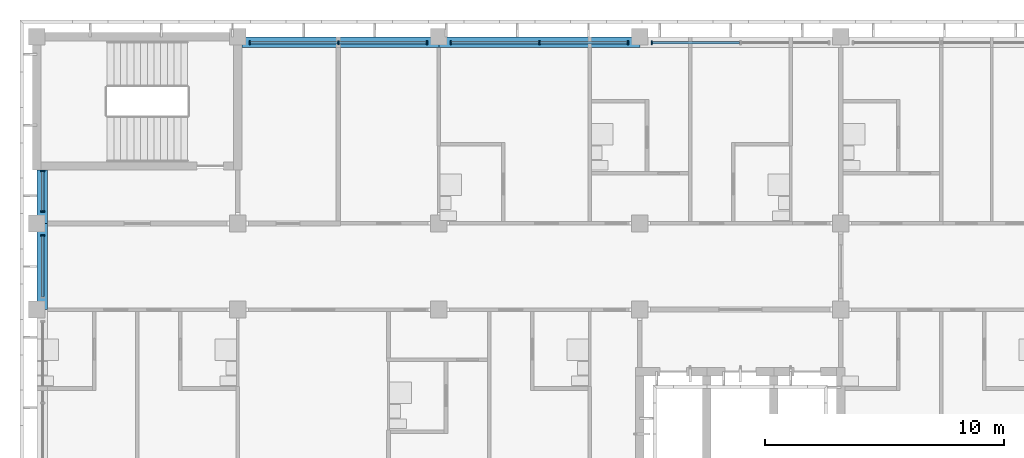
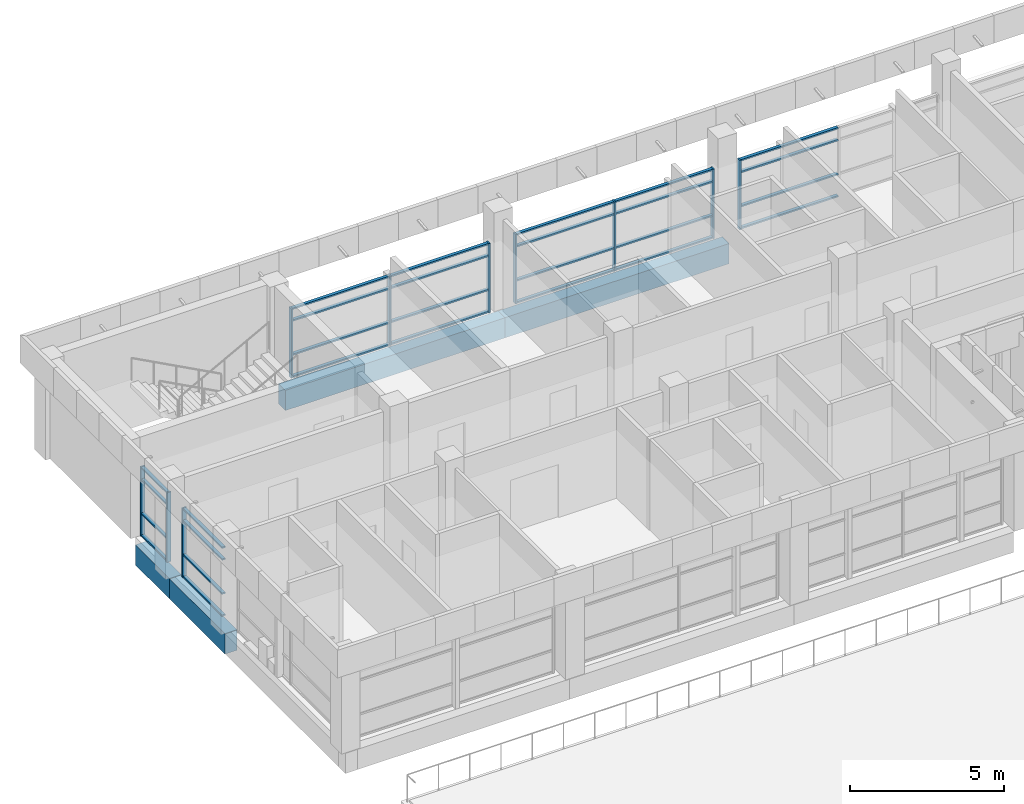
# One storey, part 5 of 46: 38 members, 4 beams, 5 elements without a shape of their own.
"""IFC4 building model written with IfcOpenShell, lengths in metres."""

import ifcopenshell
import ifcopenshell.guid

model = None  # the IFC model being written
_history = None  # IfcOwnerHistory: only IFC2X3 demands one
_inside = {}  # id of a spatial element -> (the spatial element, [elements in it])
_under = {}  # id of a project, library or spatial element -> (it, [spatial elements below it])
_declared = {}  # id of a project -> (the project, [libraries it declares])
_typed = {}  # id of a type object -> (the type object, [elements of that type])
_made_of = {}  # id of a material, layer set ... -> (it, [elements and type objects made of it])


def new_model(schema):
    """Start an empty IFC model of exactly this schema.

    Asked for "IFC4X3", IfcOpenShell would pick the latest addendum, in which some entities
    have other attributes; the version numbers below select the first issue.
    IFC2X3 requires an IfcOwnerHistory on every rooted entity: one is made here for all.
    """
    global model, _history
    if schema == "IFC4X3":
        model = ifcopenshell.file(schema_version=(4, 3, 0, 0))
    else:
        model = ifcopenshell.file(schema=schema)
    _inside.clear()
    _under.clear()
    _declared.clear()
    _typed.clear()
    _made_of.clear()
    _history = None
    if model.schema == "IFC2X3":
        org = make("IfcOrganization", Name="unknown")
        user = make(
            "IfcPersonAndOrganization",
            ThePerson=make("IfcPerson", FamilyName="unknown"),
            TheOrganization=org,
        )
        app = make(
            "IfcApplication",
            ApplicationDeveloper=org,
            Version="unknown",
            ApplicationFullName="unknown",
            ApplicationIdentifier="unknown",
        )
        _history = make(
            "IfcOwnerHistory",
            OwningUser=user,
            OwningApplication=app,
            ChangeAction="ADDED",
            CreationDate=0,
        )
    return model


def make(cls, **values):
    """One entity of the class cls with the attributes given. An attribute that is None is left unset."""
    return model.create_entity(
        cls, **{name: value for name, value in values.items() if value is not None}
    )


def rooted(cls, **values):
    """An entity with a GlobalId (a new one), such as an element, a storey or a relation."""
    return make(cls, GlobalId=ifcopenshell.guid.new(), OwnerHistory=_history, **values)


def si_unit(unit_type, name, prefix=None):
    """IfcSIUnit, for example si_unit("LENGTHUNIT", "METRE", prefix="MILLI")."""
    return make("IfcSIUnit", UnitType=unit_type, Prefix=prefix, Name=name)


def assignment(units):
    """IfcUnitAssignment: the units of a project."""
    return None if units is None else make("IfcUnitAssignment", Units=units)


def point(xyz):
    """IfcCartesianPoint."""
    return None if xyz is None else make("IfcCartesianPoint", Coordinates=xyz)


def direction(xyz):
    """IfcDirection."""
    return None if xyz is None else make("IfcDirection", DirectionRatios=xyz)


def frame(location, z_axis=None, x_axis=None):
    """IfcAxis2Placement3D, a coordinate frame: its origin and axes. An axis left out is left unset."""
    return make(
        "IfcAxis2Placement3D",
        Location=point(location),
        Axis=direction(z_axis),
        RefDirection=direction(x_axis),
    )


def frame_2d(location, x_axis=None):
    """IfcAxis2Placement2D, a coordinate frame in the plane: its origin and x axis."""
    return make(
        "IfcAxis2Placement2D", Location=point(location), RefDirection=direction(x_axis)
    )


def origin():
    """The frame at (0, 0, 0) with its axes left unset."""
    return frame((0.0, 0.0, 0.0))


def origin_2d():
    """The frame at (0, 0) in the plane with its x axis left unset."""
    return frame_2d((0.0, 0.0))


def place(relative_to, where):
    """IfcLocalPlacement: puts the frame where relative to a parent placement (None: the world)."""
    return make(
        "IfcLocalPlacement", PlacementRelTo=relative_to, RelativePlacement=where
    )


def context(
    kind, dimensions, precision=None, world=None, true_north=None, identifier=None
):
    """IfcGeometricRepresentationContext, for example the 3D "Model" context."""
    return make(
        "IfcGeometricRepresentationContext",
        ContextIdentifier=identifier,
        ContextType=kind,
        CoordinateSpaceDimension=dimensions,
        Precision=precision,
        WorldCoordinateSystem=world,
        TrueNorth=true_north,
    )


def subcontext(parent, identifier, kind, view, scale=None):
    """IfcGeometricRepresentationSubContext, for example "Body" below "Model"."""
    return make(
        "IfcGeometricRepresentationSubContext",
        ContextIdentifier=identifier,
        ContextType=kind,
        ParentContext=parent,
        TargetScale=scale,
        TargetView=view,
    )


def project(units=None, contexts=None):
    """IfcProject with its units and contexts."""
    return rooted(
        "IfcProject",
        Name="project",
        RepresentationContexts=contexts,
        UnitsInContext=assignment(units),
    )


def spatial(cls, under=None, at=None, **own):
    """A site, building, storey or space (cls), placed at a placement, below another one or the project."""
    s = rooted(cls, ObjectPlacement=at, **own)
    if under is not None:
        _under.setdefault(under.id(), (under, []))[1].append(s)
    return s


def profile(cls, at=None, kind="AREA", **sizes):
    """A parametric profile (cls). Its sizes go by their IFC names, for example OverallWidth=200.0."""
    return make(cls, ProfileType=kind, Position=at, **sizes)


def rectangle(**sizes):
    """IfcRectangleProfileDef."""
    return profile("IfcRectangleProfileDef", **sizes)


def extrude(swept, where, along, depth):
    """IfcExtrudedAreaSolid: the profile swept, set in the frame where, extruded along a direction by depth."""
    return make(
        "IfcExtrudedAreaSolid",
        SweptArea=swept,
        Position=where,
        ExtrudedDirection=direction(along),
        Depth=depth,
    )


def shape(context_of_items, identifier, shape_type, items):
    """IfcShapeRepresentation: the items that make up one representation, for example the "Body"."""
    return make(
        "IfcShapeRepresentation",
        ContextOfItems=context_of_items,
        RepresentationIdentifier=identifier,
        RepresentationType=shape_type,
        Items=items,
    )


def material(Name=None, Category=None):
    """IfcMaterial."""
    return make("IfcMaterial", Name=Name, Category=Category)


def material_profile(
    of_material, cross_section, Name=None, Category=None, Priority=None
):
    """IfcMaterialProfile: a cross section and its material."""
    return make(
        "IfcMaterialProfile",
        Name=Name,
        Material=of_material,
        Profile=cross_section,
        Priority=Priority,
        Category=Category,
    )


def profile_set(profiles, Name=None, composite=None):
    """IfcMaterialProfileSet."""
    return make(
        "IfcMaterialProfileSet",
        Name=Name,
        MaterialProfiles=profiles,
        CompositeProfile=composite,
    )


def made_of(thing, what):
    """Note that an element or type object is made of a material, layer set ...; save() writes the relation."""
    if what is not None:
        _made_of.setdefault(what.id(), (what, []))[1].append(thing)
    return thing


def type_object(cls, material=None, **own):
    """A type object (cls), such as IfcWallType, which elements share."""
    return made_of(rooted(cls, **own), material)


def element(
    cls,
    number,
    at=None,
    inside=None,
    cuts=None,
    type_object=None,
    material=None,
    context=None,
    identifier="Body",
    shape_type=None,
    held_by="IfcProductDefinitionShape",
    body=None,
    shapes=None,
    **own,
):
    """One element of the class cls, such as IfcWall. Its Tag is "e" and its number.

    at: its placement. inside: the storey or other place that contains it. cuts: it is an
    opening in that element (IfcRelVoidsElement). A single representation is given by context,
    identifier, shape_type and body (its items); several are given by shapes. held_by: the class
    of the entity that holds the representations. save() writes the other relations.
    """
    e = rooted(cls, Tag="e%d" % number, ObjectPlacement=at, **own)
    if body is not None:
        shapes = [shape(context, identifier, shape_type, body)]
    if shapes is not None:
        e.Representation = make(held_by, Representations=shapes)
    if inside is not None:
        _inside.setdefault(inside.id(), (inside, []))[1].append(e)
    if cuts is not None:
        rooted(
            "IfcRelVoidsElement", RelatingBuildingElement=cuts, RelatedOpeningElement=e
        )
    if type_object is not None:
        _typed.setdefault(type_object.id(), (type_object, []))[1].append(e)
    return made_of(e, material)


def aggregate(whole, parts):
    """IfcRelAggregates: a whole, such as a stair, and the parts it consists of."""
    return rooted("IfcRelAggregates", RelatingObject=whole, RelatedObjects=parts)


def save(model, path):
    """Write the relations noted so far, then the file.

    IfcRelAggregates (storeys below a building ...), IfcRelContainedInSpatialStructure (elements
    in a storey), IfcRelDefinesByType, IfcRelAssociatesMaterial and IfcRelDeclares: one each for
    every whole, place, type object, material and project.
    """
    for whole, parts in _under.values():
        aggregate(whole, parts)
    for where, things in _inside.values():
        rooted(
            "IfcRelContainedInSpatialStructure",
            RelatedElements=things,
            RelatingStructure=where,
        )
    for kind, things in _typed.values():
        rooted("IfcRelDefinesByType", RelatedObjects=things, RelatingType=kind)
    for what, things in _made_of.values():
        rooted("IfcRelAssociatesMaterial", RelatedObjects=things, RelatingMaterial=what)
    for by, libraries in _declared.values():
        rooted("IfcRelDeclares", RelatingContext=by, RelatedDefinitions=libraries)
    model.write(path)


model = new_model("IFC4")

# Units and contexts
model_context = context("Model", 3, precision=1e-05, world=origin(), true_north=direction((0.0, 1.0)))
body_context = subcontext(model_context, "Body", "Model", "MODEL_VIEW")
ifc_project = project(units=[si_unit("LENGTHUNIT", "METRE"), si_unit("AREAUNIT", "SQUARE_METRE"), si_unit("VOLUMEUNIT", "CUBIC_METRE"), si_unit("PLANEANGLEUNIT", "RADIAN"), si_unit("MASSUNIT", "GRAM", prefix="KILO")], contexts=[model_context])

# Site, building, storey
site_placement = place(None, origin())
site = spatial("IfcSite", under=ifc_project, at=site_placement, CompositionType="ELEMENT")
building_placement = place(site_placement, origin())
building = spatial("IfcBuilding", under=site, at=building_placement, Name="Bougainvillea Quay General Hospital", CompositionType="ELEMENT")
storey_placement = place(building_placement, frame((0.0, 0.0, 28.800048828125)))
storey = spatial("IfcBuildingStorey", under=building, at=storey_placement, Name="L06", CompositionType="ELEMENT", Elevation=28.800048828125)

# Curtain wall, member
ifc_material_1 = material(Name="Aluminium curtain wall system, powder-coated glazed", Category="aluminium")
curtain_wall_type_1 = type_object("IfcCurtainWallType", Name="Unitised curtain wall CW-3730", PredefinedType="NOTDEFINED", material=ifc_material_1)
curtain_wall_1_placement = place(storey_placement, origin())
curtain_wall_1 = element("IfcCurtainWall", 1, at=curtain_wall_1_placement, inside=storey, type_object=curtain_wall_type_1, Name="CW-4200 09", PredefinedType="NOTDEFINED")
ifc_material_2 = material(Name="Aluminium mullion, powder-coated charcoal", Category="aluminium")
ifc_material_profile_1 = material_profile(ifc_material_2, rectangle(XDim=0.159912109375, YDim=0.06005859375, at=origin_2d()))
ifc_profile_set_1 = profile_set([ifc_material_profile_1], Name="Aluminium mullion, powder-coated charcoal")
member_type_1 = type_object("IfcMemberType", Name="Curtain wall mullion 160x60", PredefinedType="MULLION", material=ifc_profile_set_1)
member_1_placement = place(storey_placement, frame((67.699951171875, 159.35009765625, 0.0), z_axis=(0.0, 0.0, 1.0), x_axis=(0.0, -1.0, 0.0)))
member_1 = element("IfcMember", 2, at=member_1_placement, type_object=member_type_1, Name="CW-4200 mullion 3", PredefinedType="MULLION", context=body_context, shape_type="SweptSolid", body=[
    extrude(rectangle(XDim=0.159912109375, YDim=0.06005859375, at=origin_2d()), origin(), (0.0, 0.0, 1.0), 2.75),
])

# Curtain wall, members
curtain_wall_2_placement = place(storey_placement, origin())
curtain_wall_2 = element("IfcCurtainWall", 3, at=curtain_wall_2_placement, inside=storey, type_object=curtain_wall_type_1, Name="CW-4200 10", PredefinedType="NOTDEFINED")
member_2_placement = place(storey_placement, frame((66.699951171875, 159.35009765625, 0.0), z_axis=(0.0, 0.0, 1.0), x_axis=(0.0, -1.0, 0.0)))
member_2 = element("IfcMember", 4, at=member_2_placement, type_object=member_type_1, Name="CW-4200 mullion 1", PredefinedType="MULLION", context=body_context, shape_type="SweptSolid", body=[
    extrude(rectangle(XDim=0.159912109375, YDim=0.06005859375, at=origin_2d()), origin(), (0.0, 0.0, 1.0), 2.75),
])
member_3_placement = place(storey_placement, frame((63.0, 159.35009765625, 0.0), z_axis=(0.0, 0.0, 1.0), x_axis=(0.0, -1.0, 0.0)))
member_3 = element("IfcMember", 5, at=member_3_placement, type_object=member_type_1, Name="CW-4200 mullion 2", PredefinedType="MULLION", context=body_context, shape_type="SweptSolid", body=[
    extrude(rectangle(XDim=0.159912109375, YDim=0.06005859375, at=origin_2d()), origin(), (0.0, 0.0, 1.0), 2.75),
])
member_4_placement = place(storey_placement, frame((59.300048828125, 159.35009765625, 0.0), z_axis=(0.0, 0.0, 1.0), x_axis=(0.0, -1.0, 0.0)))
member_4 = element("IfcMember", 6, at=member_4_placement, type_object=member_type_1, Name="CW-4200 mullion 3", PredefinedType="MULLION", context=body_context, shape_type="SweptSolid", body=[
    extrude(rectangle(XDim=0.159912109375, YDim=0.06005859375, at=origin_2d()), origin(), (0.0, 0.0, 1.0), 2.75),
])

curtain_wall_3_placement = place(storey_placement, origin())
curtain_wall_3 = element("IfcCurtainWall", 7, at=curtain_wall_3_placement, inside=storey, type_object=curtain_wall_type_1, Name="CW-4200 11", PredefinedType="NOTDEFINED")
member_5_placement = place(storey_placement, frame((58.300048828125, 159.35009765625, 0.0), z_axis=(0.0, 0.0, 1.0), x_axis=(0.0, -1.0, 0.0)))
member_5 = element("IfcMember", 8, at=member_5_placement, type_object=member_type_1, Name="CW-4200 mullion 1", PredefinedType="MULLION", context=body_context, shape_type="SweptSolid", body=[
    extrude(rectangle(XDim=0.159912109375, YDim=0.06005859375, at=origin_2d()), origin(), (0.0, 0.0, 1.0), 2.75),
])
member_6_placement = place(storey_placement, frame((54.60009765625, 159.35009765625, 0.0), z_axis=(0.0, 0.0, 1.0), x_axis=(0.0, -1.0, 0.0)))
member_6 = element("IfcMember", 9, at=member_6_placement, type_object=member_type_1, Name="CW-4200 mullion 2", PredefinedType="MULLION", context=body_context, shape_type="SweptSolid", body=[
    extrude(rectangle(XDim=0.159912109375, YDim=0.06005859375, at=origin_2d()), origin(), (0.0, 0.0, 1.0), 2.75),
])
member_7_placement = place(storey_placement, frame((50.89990234375, 159.35009765625, 0.0), z_axis=(0.0, 0.0, 1.0), x_axis=(0.0, -1.0, 0.0)))
member_7 = element("IfcMember", 10, at=member_7_placement, type_object=member_type_1, Name="CW-4200 mullion 3", PredefinedType="MULLION", context=body_context, shape_type="SweptSolid", body=[
    extrude(rectangle(XDim=0.159912109375, YDim=0.06005859375, at=origin_2d()), origin(), (0.0, 0.0, 1.0), 2.75),
])

curtain_wall_type_2 = type_object("IfcCurtainWallType", Name="Unitised curtain wall CW-1755", PredefinedType="NOTDEFINED", material=ifc_material_1)
curtain_wall_4_placement = place(storey_placement, origin())
curtain_wall_4 = element("IfcCurtainWall", 11, at=curtain_wall_4_placement, inside=storey, type_object=curtain_wall_type_2, Name="CW-4200 00", PredefinedType="NOTDEFINED")
member_8_placement = place(storey_placement, frame((42.25, 153.9951171875, 0.0), z_axis=(0.0, 0.0, 1.0), x_axis=(1.0, 0.0, 0.0)))
member_8 = element("IfcMember", 12, at=member_8_placement, type_object=member_type_1, Name="CW-4200 mullion 1", PredefinedType="MULLION", context=body_context, shape_type="SweptSolid", body=[
    extrude(rectangle(XDim=0.159912109375, YDim=0.06005859375, at=origin_2d()), origin(), (0.0, 0.0, 1.0), 2.75),
])
member_9_placement = place(storey_placement, frame((42.25, 152.300048828125, 0.0), z_axis=(0.0, 0.0, 1.0), x_axis=(1.0, 0.0, 0.0)))
member_9 = element("IfcMember", 13, at=member_9_placement, type_object=member_type_1, Name="CW-4200 mullion 2", PredefinedType="MULLION", context=body_context, shape_type="SweptSolid", body=[
    extrude(rectangle(XDim=0.159912109375, YDim=0.06005859375, at=origin_2d()), origin(), (0.0, 0.0, 1.0), 2.75),
])

# Curtain wall, member
curtain_wall_type_3 = type_object("IfcCurtainWallType", Name="Unitised curtain wall CW-2660", PredefinedType="NOTDEFINED", material=ifc_material_1)
curtain_wall_5_placement = place(storey_placement, origin())
curtain_wall_5 = element("IfcCurtainWall", 14, at=curtain_wall_5_placement, inside=storey, type_object=curtain_wall_type_3, Name="CW-4200 01", PredefinedType="NOTDEFINED")
member_10_placement = place(storey_placement, frame((42.25, 151.300048828125, 0.0), z_axis=(0.0, 0.0, 1.0), x_axis=(1.0, 0.0, 0.0)))
member_10 = element("IfcMember", 15, at=member_10_placement, type_object=member_type_1, Name="CW-4200 mullion 1", PredefinedType="MULLION", context=body_context, shape_type="SweptSolid", body=[
    extrude(rectangle(XDim=0.159912109375, YDim=0.06005859375, at=origin_2d()), origin(), (0.0, 0.0, 1.0), 2.75),
])

# Member
ifc_material_3 = material(Name="Aluminium transom, powder-coated charcoal", Category="aluminium")
ifc_material_profile_2 = material_profile(ifc_material_3, rectangle(XDim=0.1201171875, YDim=0.06005859375, at=origin_2d()))
ifc_profile_set_2 = profile_set([ifc_material_profile_2], Name="Aluminium transom, powder-coated charcoal")
member_type_2 = type_object("IfcMemberType", Name="Curtain wall transom 120x60", PredefinedType="USERDEFINED", material=ifc_profile_set_2)
member_11_placement = place(storey_placement, frame((71.3701171875, 159.35009765625, 0.030029296875), z_axis=(-1.0, 0.0, 0.0), x_axis=(0.0, -1.0, 0.0)))
member_11 = element("IfcMember", 16, at=member_11_placement, type_object=member_type_2, Name="CW-4200 transom 2.1", ObjectType="TRANSOM", PredefinedType="USERDEFINED", context=body_context, shape_type="SweptSolid", body=[
    extrude(rectangle(XDim=0.1201171875, YDim=0.06005859375, at=origin_2d()), origin(), (0.0, 0.0, 1.0), 3.64013671875),
])

member_12_placement = place(storey_placement, frame((71.3701171875, 159.35009765625, 0.89990234375), z_axis=(-1.0, 0.0, 0.0), x_axis=(0.0, -1.0, 0.0)))
member_12 = element("IfcMember", 17, at=member_12_placement, type_object=member_type_2, Name="CW-4200 transom 2.2", ObjectType="TRANSOM", PredefinedType="USERDEFINED", context=body_context, shape_type="SweptSolid", body=[
    extrude(rectangle(XDim=0.1201171875, YDim=0.06005859375, at=origin_2d()), origin(), (0.0, 0.0, 1.0), 3.64013671875),
])

member_13_placement = place(storey_placement, frame((71.3701171875, 159.35009765625, 2.25), z_axis=(-1.0, 0.0, 0.0), x_axis=(0.0, -1.0, 0.0)))
member_13 = element("IfcMember", 18, at=member_13_placement, type_object=member_type_2, Name="CW-4200 transom 2.3", ObjectType="TRANSOM", PredefinedType="USERDEFINED", context=body_context, shape_type="SweptSolid", body=[
    extrude(rectangle(XDim=0.1201171875, YDim=0.06005859375, at=origin_2d()), origin(), (0.0, 0.0, 1.0), 3.64013671875),
])

member_14_placement = place(storey_placement, frame((71.3701171875, 159.35009765625, 2.719970703125), z_axis=(-1.0, 0.0, 0.0), x_axis=(0.0, -1.0, 0.0)))
member_14 = element("IfcMember", 19, at=member_14_placement, type_object=member_type_2, Name="CW-4200 transom 2.4", ObjectType="TRANSOM", PredefinedType="USERDEFINED", context=body_context, shape_type="SweptSolid", body=[
    extrude(rectangle(XDim=0.1201171875, YDim=0.06005859375, at=origin_2d()), origin(), (0.0, 0.0, 1.0), 3.64013671875),
])

aggregate(curtain_wall_1, [member_1, member_11, member_12, member_13, member_14])

member_15_placement = place(storey_placement, frame((66.669921875, 159.35009765625, 0.030029296875), z_axis=(-1.0, 0.0, 0.0), x_axis=(0.0, -1.0, 0.0)))
member_15 = element("IfcMember", 20, at=member_15_placement, type_object=member_type_2, Name="CW-4200 transom 1.1", ObjectType="TRANSOM", PredefinedType="USERDEFINED", context=body_context, shape_type="SweptSolid", body=[
    extrude(rectangle(XDim=0.1201171875, YDim=0.06005859375, at=origin_2d()), origin(), (0.0, 0.0, 1.0), 3.639892578125),
])

member_16_placement = place(storey_placement, frame((66.669921875, 159.35009765625, 0.89990234375), z_axis=(-1.0, 0.0, 0.0), x_axis=(0.0, -1.0, 0.0)))
member_16 = element("IfcMember", 21, at=member_16_placement, type_object=member_type_2, Name="CW-4200 transom 1.2", ObjectType="TRANSOM", PredefinedType="USERDEFINED", context=body_context, shape_type="SweptSolid", body=[
    extrude(rectangle(XDim=0.1201171875, YDim=0.06005859375, at=origin_2d()), origin(), (0.0, 0.0, 1.0), 3.639892578125),
])

member_17_placement = place(storey_placement, frame((66.669921875, 159.35009765625, 2.25), z_axis=(-1.0, 0.0, 0.0), x_axis=(0.0, -1.0, 0.0)))
member_17 = element("IfcMember", 22, at=member_17_placement, type_object=member_type_2, Name="CW-4200 transom 1.3", ObjectType="TRANSOM", PredefinedType="USERDEFINED", context=body_context, shape_type="SweptSolid", body=[
    extrude(rectangle(XDim=0.1201171875, YDim=0.06005859375, at=origin_2d()), origin(), (0.0, 0.0, 1.0), 3.639892578125),
])

member_18_placement = place(storey_placement, frame((66.669921875, 159.35009765625, 2.719970703125), z_axis=(-1.0, 0.0, 0.0), x_axis=(0.0, -1.0, 0.0)))
member_18 = element("IfcMember", 23, at=member_18_placement, type_object=member_type_2, Name="CW-4200 transom 1.4", ObjectType="TRANSOM", PredefinedType="USERDEFINED", context=body_context, shape_type="SweptSolid", body=[
    extrude(rectangle(XDim=0.1201171875, YDim=0.06005859375, at=origin_2d()), origin(), (0.0, 0.0, 1.0), 3.639892578125),
])

member_19_placement = place(storey_placement, frame((62.969970703125, 159.35009765625, 0.030029296875), z_axis=(-1.0, 0.0, 0.0), x_axis=(0.0, -1.0, 0.0)))
member_19 = element("IfcMember", 24, at=member_19_placement, type_object=member_type_2, Name="CW-4200 transom 2.1", ObjectType="TRANSOM", PredefinedType="USERDEFINED", context=body_context, shape_type="SweptSolid", body=[
    extrude(rectangle(XDim=0.1201171875, YDim=0.06005859375, at=origin_2d()), origin(), (0.0, 0.0, 1.0), 3.639892578125),
])

member_20_placement = place(storey_placement, frame((62.969970703125, 159.35009765625, 0.89990234375), z_axis=(-1.0, 0.0, 0.0), x_axis=(0.0, -1.0, 0.0)))
member_20 = element("IfcMember", 25, at=member_20_placement, type_object=member_type_2, Name="CW-4200 transom 2.2", ObjectType="TRANSOM", PredefinedType="USERDEFINED", context=body_context, shape_type="SweptSolid", body=[
    extrude(rectangle(XDim=0.1201171875, YDim=0.06005859375, at=origin_2d()), origin(), (0.0, 0.0, 1.0), 3.639892578125),
])

member_21_placement = place(storey_placement, frame((62.969970703125, 159.35009765625, 2.25), z_axis=(-1.0, 0.0, 0.0), x_axis=(0.0, -1.0, 0.0)))
member_21 = element("IfcMember", 26, at=member_21_placement, type_object=member_type_2, Name="CW-4200 transom 2.3", ObjectType="TRANSOM", PredefinedType="USERDEFINED", context=body_context, shape_type="SweptSolid", body=[
    extrude(rectangle(XDim=0.1201171875, YDim=0.06005859375, at=origin_2d()), origin(), (0.0, 0.0, 1.0), 3.639892578125),
])

member_22_placement = place(storey_placement, frame((62.969970703125, 159.35009765625, 2.719970703125), z_axis=(-1.0, 0.0, 0.0), x_axis=(0.0, -1.0, 0.0)))
member_22 = element("IfcMember", 27, at=member_22_placement, type_object=member_type_2, Name="CW-4200 transom 2.4", ObjectType="TRANSOM", PredefinedType="USERDEFINED", context=body_context, shape_type="SweptSolid", body=[
    extrude(rectangle(XDim=0.1201171875, YDim=0.06005859375, at=origin_2d()), origin(), (0.0, 0.0, 1.0), 3.639892578125),
])

aggregate(curtain_wall_2, [member_2, member_3, member_4, member_15, member_16, member_17, member_18, member_19, member_20, member_21, member_22])

member_23_placement = place(storey_placement, frame((58.27001953125, 159.35009765625, 0.030029296875), z_axis=(-1.0, 0.0, 0.0), x_axis=(0.0, -1.0, 0.0)))
member_23 = element("IfcMember", 28, at=member_23_placement, type_object=member_type_2, Name="CW-4200 transom 1.1", ObjectType="TRANSOM", PredefinedType="USERDEFINED", context=body_context, shape_type="SweptSolid", body=[
    extrude(rectangle(XDim=0.1201171875, YDim=0.06005859375, at=origin_2d()), origin(), (0.0, 0.0, 1.0), 3.64013671875),
])

member_24_placement = place(storey_placement, frame((58.27001953125, 159.35009765625, 0.89990234375), z_axis=(-1.0, 0.0, 0.0), x_axis=(0.0, -1.0, 0.0)))
member_24 = element("IfcMember", 29, at=member_24_placement, type_object=member_type_2, Name="CW-4200 transom 1.2", ObjectType="TRANSOM", PredefinedType="USERDEFINED", context=body_context, shape_type="SweptSolid", body=[
    extrude(rectangle(XDim=0.1201171875, YDim=0.06005859375, at=origin_2d()), origin(), (0.0, 0.0, 1.0), 3.64013671875),
])

member_25_placement = place(storey_placement, frame((58.27001953125, 159.35009765625, 2.25), z_axis=(-1.0, 0.0, 0.0), x_axis=(0.0, -1.0, 0.0)))
member_25 = element("IfcMember", 30, at=member_25_placement, type_object=member_type_2, Name="CW-4200 transom 1.3", ObjectType="TRANSOM", PredefinedType="USERDEFINED", context=body_context, shape_type="SweptSolid", body=[
    extrude(rectangle(XDim=0.1201171875, YDim=0.06005859375, at=origin_2d()), origin(), (0.0, 0.0, 1.0), 3.64013671875),
])

member_26_placement = place(storey_placement, frame((58.27001953125, 159.35009765625, 2.719970703125), z_axis=(-1.0, 0.0, 0.0), x_axis=(0.0, -1.0, 0.0)))
member_26 = element("IfcMember", 31, at=member_26_placement, type_object=member_type_2, Name="CW-4200 transom 1.4", ObjectType="TRANSOM", PredefinedType="USERDEFINED", context=body_context, shape_type="SweptSolid", body=[
    extrude(rectangle(XDim=0.1201171875, YDim=0.06005859375, at=origin_2d()), origin(), (0.0, 0.0, 1.0), 3.64013671875),
])

member_27_placement = place(storey_placement, frame((54.570068359375, 159.35009765625, 0.030029296875), z_axis=(-1.0, 0.0, 0.0), x_axis=(0.0, -1.0, 0.0)))
member_27 = element("IfcMember", 32, at=member_27_placement, type_object=member_type_2, Name="CW-4200 transom 2.1", ObjectType="TRANSOM", PredefinedType="USERDEFINED", context=body_context, shape_type="SweptSolid", body=[
    extrude(rectangle(XDim=0.1201171875, YDim=0.06005859375, at=origin_2d()), origin(), (0.0, 0.0, 1.0), 3.64013671875),
])

member_28_placement = place(storey_placement, frame((54.570068359375, 159.35009765625, 0.89990234375), z_axis=(-1.0, 0.0, 0.0), x_axis=(0.0, -1.0, 0.0)))
member_28 = element("IfcMember", 33, at=member_28_placement, type_object=member_type_2, Name="CW-4200 transom 2.2", ObjectType="TRANSOM", PredefinedType="USERDEFINED", context=body_context, shape_type="SweptSolid", body=[
    extrude(rectangle(XDim=0.1201171875, YDim=0.06005859375, at=origin_2d()), origin(), (0.0, 0.0, 1.0), 3.64013671875),
])

member_29_placement = place(storey_placement, frame((54.570068359375, 159.35009765625, 2.25), z_axis=(-1.0, 0.0, 0.0), x_axis=(0.0, -1.0, 0.0)))
member_29 = element("IfcMember", 34, at=member_29_placement, type_object=member_type_2, Name="CW-4200 transom 2.3", ObjectType="TRANSOM", PredefinedType="USERDEFINED", context=body_context, shape_type="SweptSolid", body=[
    extrude(rectangle(XDim=0.1201171875, YDim=0.06005859375, at=origin_2d()), origin(), (0.0, 0.0, 1.0), 3.64013671875),
])

member_30_placement = place(storey_placement, frame((54.570068359375, 159.35009765625, 2.719970703125), z_axis=(-1.0, 0.0, 0.0), x_axis=(0.0, -1.0, 0.0)))
member_30 = element("IfcMember", 35, at=member_30_placement, type_object=member_type_2, Name="CW-4200 transom 2.4", ObjectType="TRANSOM", PredefinedType="USERDEFINED", context=body_context, shape_type="SweptSolid", body=[
    extrude(rectangle(XDim=0.1201171875, YDim=0.06005859375, at=origin_2d()), origin(), (0.0, 0.0, 1.0), 3.64013671875),
])

aggregate(curtain_wall_3, [member_5, member_6, member_7, member_23, member_24, member_25, member_26, member_27, member_28, member_29, member_30])

member_31_placement = place(storey_placement, frame((42.25, 153.965087890625, 0.030029296875), z_axis=(0.0, -1.0, 0.0), x_axis=(1.0, 0.0, 0.0)))
member_31 = element("IfcMember", 36, at=member_31_placement, type_object=member_type_2, Name="CW-4200 transom 1.1", ObjectType="TRANSOM", PredefinedType="USERDEFINED", context=body_context, shape_type="SweptSolid", body=[
    extrude(rectangle(XDim=0.1201171875, YDim=0.06005859375, at=origin_2d()), origin(), (0.0, 0.0, 1.0), 1.635009765625),
])

member_32_placement = place(storey_placement, frame((42.25, 153.965087890625, 0.89990234375), z_axis=(0.0, -1.0, 0.0), x_axis=(1.0, 0.0, 0.0)))
member_32 = element("IfcMember", 37, at=member_32_placement, type_object=member_type_2, Name="CW-4200 transom 1.2", ObjectType="TRANSOM", PredefinedType="USERDEFINED", context=body_context, shape_type="SweptSolid", body=[
    extrude(rectangle(XDim=0.1201171875, YDim=0.06005859375, at=origin_2d()), origin(), (0.0, 0.0, 1.0), 1.635009765625),
])

member_33_placement = place(storey_placement, frame((42.25, 153.965087890625, 2.25), z_axis=(0.0, -1.0, 0.0), x_axis=(1.0, 0.0, 0.0)))
member_33 = element("IfcMember", 38, at=member_33_placement, type_object=member_type_2, Name="CW-4200 transom 1.3", ObjectType="TRANSOM", PredefinedType="USERDEFINED", context=body_context, shape_type="SweptSolid", body=[
    extrude(rectangle(XDim=0.1201171875, YDim=0.06005859375, at=origin_2d()), origin(), (0.0, 0.0, 1.0), 1.635009765625),
])

member_34_placement = place(storey_placement, frame((42.25, 153.965087890625, 2.719970703125), z_axis=(0.0, -1.0, 0.0), x_axis=(1.0, 0.0, 0.0)))
member_34 = element("IfcMember", 39, at=member_34_placement, type_object=member_type_2, Name="CW-4200 transom 1.4", ObjectType="TRANSOM", PredefinedType="USERDEFINED", context=body_context, shape_type="SweptSolid", body=[
    extrude(rectangle(XDim=0.1201171875, YDim=0.06005859375, at=origin_2d()), origin(), (0.0, 0.0, 1.0), 1.635009765625),
])

aggregate(curtain_wall_4, [member_8, member_9, member_31, member_32, member_33, member_34])

member_35_placement = place(storey_placement, frame((42.25, 151.27001953125, 0.030029296875), z_axis=(0.0, -1.0, 0.0), x_axis=(1.0, 0.0, 0.0)))
member_35 = element("IfcMember", 40, at=member_35_placement, type_object=member_type_2, Name="CW-4200 transom 1.1", ObjectType="TRANSOM", PredefinedType="USERDEFINED", context=body_context, shape_type="SweptSolid", body=[
    extrude(rectangle(XDim=0.1201171875, YDim=0.06005859375, at=origin_2d()), origin(), (0.0, 0.0, 1.0), 2.5400390625),
])

member_36_placement = place(storey_placement, frame((42.25, 151.27001953125, 0.89990234375), z_axis=(0.0, -1.0, 0.0), x_axis=(1.0, 0.0, 0.0)))
member_36 = element("IfcMember", 41, at=member_36_placement, type_object=member_type_2, Name="CW-4200 transom 1.2", ObjectType="TRANSOM", PredefinedType="USERDEFINED", context=body_context, shape_type="SweptSolid", body=[
    extrude(rectangle(XDim=0.1201171875, YDim=0.06005859375, at=origin_2d()), origin(), (0.0, 0.0, 1.0), 2.5400390625),
])

member_37_placement = place(storey_placement, frame((42.25, 151.27001953125, 2.25), z_axis=(0.0, -1.0, 0.0), x_axis=(1.0, 0.0, 0.0)))
member_37 = element("IfcMember", 42, at=member_37_placement, type_object=member_type_2, Name="CW-4200 transom 1.3", ObjectType="TRANSOM", PredefinedType="USERDEFINED", context=body_context, shape_type="SweptSolid", body=[
    extrude(rectangle(XDim=0.1201171875, YDim=0.06005859375, at=origin_2d()), origin(), (0.0, 0.0, 1.0), 2.5400390625),
])

member_38_placement = place(storey_placement, frame((42.25, 151.27001953125, 2.719970703125), z_axis=(0.0, -1.0, 0.0), x_axis=(1.0, 0.0, 0.0)))
member_38 = element("IfcMember", 43, at=member_38_placement, type_object=member_type_2, Name="CW-4200 transom 1.4", ObjectType="TRANSOM", PredefinedType="USERDEFINED", context=body_context, shape_type="SweptSolid", body=[
    extrude(rectangle(XDim=0.1201171875, YDim=0.06005859375, at=origin_2d()), origin(), (0.0, 0.0, 1.0), 2.5400390625),
])

aggregate(curtain_wall_5, [member_10, member_35, member_36, member_37, member_38])

# Beams
ifc_material_4 = material(Name="Concrete C40", Category="concrete")
ifc_material_profile_3 = material_profile(ifc_material_4, rectangle(XDim=0.449951171875, YDim=0.800048828125, at=origin_2d()))
ifc_profile_set_3 = profile_set([ifc_material_profile_3], Name="Concrete C40")
beam_type = type_object("IfcBeamType", Name="RC BEAM 450x800 C40", PredefinedType="BEAM", material=ifc_profile_set_3)
beam_1_placement = place(storey_placement, frame((67.199951171875, 159.375, -0.699951171875), z_axis=(-1.0, 0.0, 0.0), x_axis=(0.0, -1.0, 0.0)))
element("IfcBeam", 44, at=beam_1_placement, inside=storey, type_object=beam_type, Name="Edge beam L06", PredefinedType="BEAM", context=body_context, shape_type="SweptSolid", body=[
    extrude(rectangle(XDim=0.449951171875, YDim=0.800048828125, at=origin_2d()), origin(), (0.0, 0.0, 1.0), 8.39990234375),
])
beam_2_placement = place(storey_placement, frame((58.800048828125, 159.375, -0.699951171875), z_axis=(-1.0, 0.0, 0.0), x_axis=(0.0, -1.0, 0.0)))
element("IfcBeam", 45, at=beam_2_placement, inside=storey, type_object=beam_type, Name="Edge beam L06", PredefinedType="BEAM", context=body_context, shape_type="SweptSolid", body=[
    extrude(rectangle(XDim=0.449951171875, YDim=0.800048828125, at=origin_2d()), origin(), (0.0, 0.0, 1.0), 8.22509765625),
])
beam_3_placement = place(storey_placement, frame((42.22509765625, 154.02490234375, -0.699951171875), z_axis=(0.0, -1.0, 0.0), x_axis=(1.0, 0.0, 0.0)))
element("IfcBeam", 46, at=beam_3_placement, inside=storey, type_object=beam_type, Name="Edge beam L06", PredefinedType="BEAM", context=body_context, shape_type="SweptSolid", body=[
    extrude(rectangle(XDim=0.449951171875, YDim=0.800048828125, at=origin_2d()), origin(), (0.0, 0.0, 1.0), 2.224853515625),
])
beam_4_placement = place(storey_placement, frame((42.22509765625, 151.800048828125, -0.699951171875), z_axis=(0.0, -1.0, 0.0), x_axis=(1.0, 0.0, 0.0)))
element("IfcBeam", 47, at=beam_4_placement, inside=storey, type_object=beam_type, Name="Edge beam L06", PredefinedType="BEAM", context=body_context, shape_type="SweptSolid", body=[
    extrude(rectangle(XDim=0.449951171875, YDim=0.800048828125, at=origin_2d()), origin(), (0.0, 0.0, 1.0), 3.60009765625),
])

save(model, "model.ifc")
